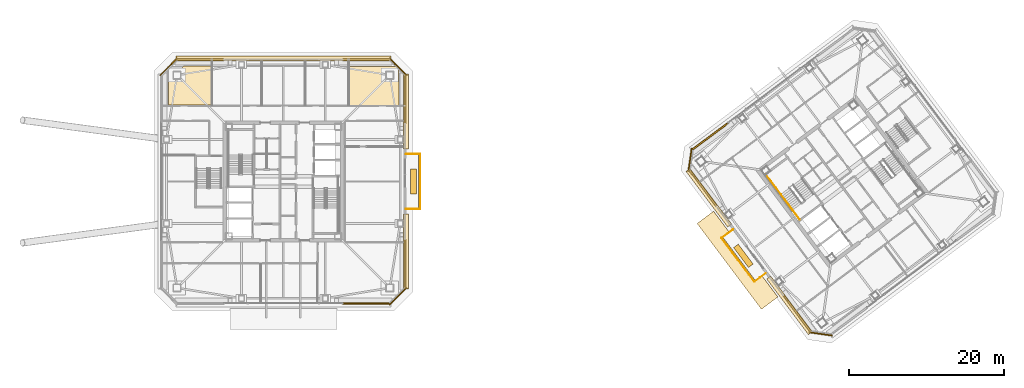
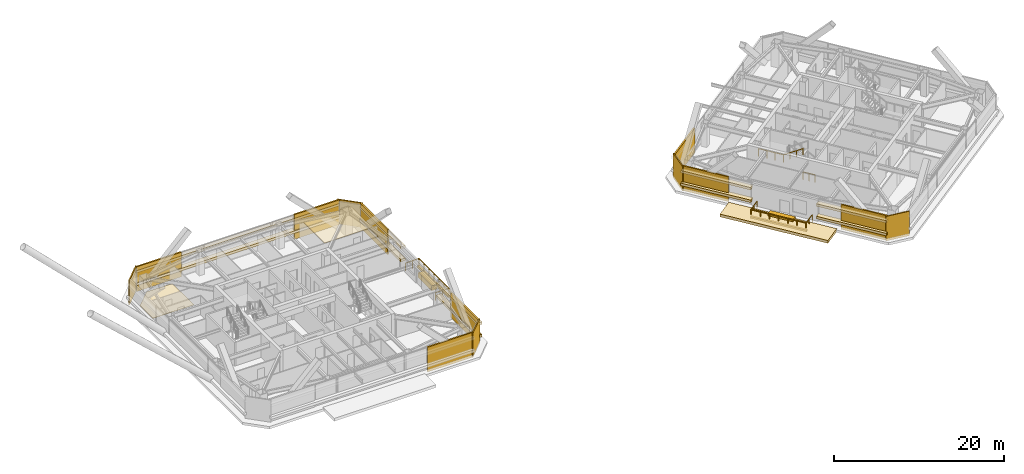
# One storey, part 37 of 39: 30 coverings, 9 railings.
"""IFC4 building model written with IfcOpenShell, lengths in metres."""

import ifcopenshell
import ifcopenshell.guid

model = None  # the IFC model being written
_history = None  # IfcOwnerHistory: only IFC2X3 demands one
_inside = {}  # id of a spatial element -> (the spatial element, [elements in it])
_under = {}  # id of a project, library or spatial element -> (it, [spatial elements below it])
_declared = {}  # id of a project -> (the project, [libraries it declares])
_typed = {}  # id of a type object -> (the type object, [elements of that type])
_made_of = {}  # id of a material, layer set ... -> (it, [elements and type objects made of it])


def new_model(schema):
    """Start an empty IFC model of exactly this schema.

    Asked for "IFC4X3", IfcOpenShell would pick the latest addendum, in which some entities
    have other attributes; the version numbers below select the first issue.
    IFC2X3 requires an IfcOwnerHistory on every rooted entity: one is made here for all.
    """
    global model, _history
    if schema == "IFC4X3":
        model = ifcopenshell.file(schema_version=(4, 3, 0, 0))
    else:
        model = ifcopenshell.file(schema=schema)
    _inside.clear()
    _under.clear()
    _declared.clear()
    _typed.clear()
    _made_of.clear()
    _history = None
    if model.schema == "IFC2X3":
        org = make("IfcOrganization", Name="unknown")
        user = make(
            "IfcPersonAndOrganization",
            ThePerson=make("IfcPerson", FamilyName="unknown"),
            TheOrganization=org,
        )
        app = make(
            "IfcApplication",
            ApplicationDeveloper=org,
            Version="unknown",
            ApplicationFullName="unknown",
            ApplicationIdentifier="unknown",
        )
        _history = make(
            "IfcOwnerHistory",
            OwningUser=user,
            OwningApplication=app,
            ChangeAction="ADDED",
            CreationDate=0,
        )
    return model


def make(cls, **values):
    """One entity of the class cls with the attributes given. An attribute that is None is left unset."""
    return model.create_entity(
        cls, **{name: value for name, value in values.items() if value is not None}
    )


def rooted(cls, **values):
    """An entity with a GlobalId (a new one), such as an element, a storey or a relation."""
    return make(cls, GlobalId=ifcopenshell.guid.new(), OwnerHistory=_history, **values)


def si_unit(unit_type, name, prefix=None):
    """IfcSIUnit, for example si_unit("LENGTHUNIT", "METRE", prefix="MILLI")."""
    return make("IfcSIUnit", UnitType=unit_type, Prefix=prefix, Name=name)


def assignment(units):
    """IfcUnitAssignment: the units of a project."""
    return None if units is None else make("IfcUnitAssignment", Units=units)


def point(xyz):
    """IfcCartesianPoint."""
    return None if xyz is None else make("IfcCartesianPoint", Coordinates=xyz)


def direction(xyz):
    """IfcDirection."""
    return None if xyz is None else make("IfcDirection", DirectionRatios=xyz)


def frame(location, z_axis=None, x_axis=None):
    """IfcAxis2Placement3D, a coordinate frame: its origin and axes. An axis left out is left unset."""
    return make(
        "IfcAxis2Placement3D",
        Location=point(location),
        Axis=direction(z_axis),
        RefDirection=direction(x_axis),
    )


def frame_2d(location, x_axis=None):
    """IfcAxis2Placement2D, a coordinate frame in the plane: its origin and x axis."""
    return make(
        "IfcAxis2Placement2D", Location=point(location), RefDirection=direction(x_axis)
    )


def origin():
    """The frame at (0, 0, 0) with its axes left unset."""
    return frame((0.0, 0.0, 0.0))


def origin_2d():
    """The frame at (0, 0) in the plane with its x axis left unset."""
    return frame_2d((0.0, 0.0))


def place(relative_to, where):
    """IfcLocalPlacement: puts the frame where relative to a parent placement (None: the world)."""
    return make(
        "IfcLocalPlacement", PlacementRelTo=relative_to, RelativePlacement=where
    )


def context(
    kind, dimensions, precision=None, world=None, true_north=None, identifier=None
):
    """IfcGeometricRepresentationContext, for example the 3D "Model" context."""
    return make(
        "IfcGeometricRepresentationContext",
        ContextIdentifier=identifier,
        ContextType=kind,
        CoordinateSpaceDimension=dimensions,
        Precision=precision,
        WorldCoordinateSystem=world,
        TrueNorth=true_north,
    )


def subcontext(parent, identifier, kind, view, scale=None):
    """IfcGeometricRepresentationSubContext, for example "Body" below "Model"."""
    return make(
        "IfcGeometricRepresentationSubContext",
        ContextIdentifier=identifier,
        ContextType=kind,
        ParentContext=parent,
        TargetScale=scale,
        TargetView=view,
    )


def project(units=None, contexts=None):
    """IfcProject with its units and contexts."""
    return rooted(
        "IfcProject",
        Name="project",
        RepresentationContexts=contexts,
        UnitsInContext=assignment(units),
    )


def spatial(cls, under=None, at=None, **own):
    """A site, building, storey or space (cls), placed at a placement, below another one or the project."""
    s = rooted(cls, ObjectPlacement=at, **own)
    if under is not None:
        _under.setdefault(under.id(), (under, []))[1].append(s)
    return s


def polyline(points):
    """IfcPolyline through the points."""
    return make("IfcPolyline", Points=[point(p) for p in points])


def profile(cls, at=None, kind="AREA", **sizes):
    """A parametric profile (cls). Its sizes go by their IFC names, for example OverallWidth=200.0."""
    return make(cls, ProfileType=kind, Position=at, **sizes)


def rectangle(**sizes):
    """IfcRectangleProfileDef."""
    return profile("IfcRectangleProfileDef", **sizes)


def outline(outer, holes=None, kind="AREA"):
    """IfcArbitraryClosedProfileDef: a profile drawn as a closed curve; with holes, ...WithVoids."""
    if holes is None:
        return make("IfcArbitraryClosedProfileDef", ProfileType=kind, OuterCurve=outer)
    return make(
        "IfcArbitraryProfileDefWithVoids",
        ProfileType=kind,
        OuterCurve=outer,
        InnerCurves=holes,
    )


def extrude(swept, where, along, depth):
    """IfcExtrudedAreaSolid: the profile swept, set in the frame where, extruded along a direction by depth."""
    return make(
        "IfcExtrudedAreaSolid",
        SweptArea=swept,
        Position=where,
        ExtrudedDirection=direction(along),
        Depth=depth,
    )


def shape(context_of_items, identifier, shape_type, items):
    """IfcShapeRepresentation: the items that make up one representation, for example the "Body"."""
    return make(
        "IfcShapeRepresentation",
        ContextOfItems=context_of_items,
        RepresentationIdentifier=identifier,
        RepresentationType=shape_type,
        Items=items,
    )


def material(Name=None, Category=None):
    """IfcMaterial."""
    return make("IfcMaterial", Name=Name, Category=Category)


def layer(
    of_material, thickness, ventilated=None, Name=None, Category=None, Priority=None
):
    """IfcMaterialLayer: one layer of a wall or slab, of a material (None: an air gap)."""
    return make(
        "IfcMaterialLayer",
        Material=of_material,
        LayerThickness=thickness,
        IsVentilated=ventilated,
        Name=Name,
        Category=Category,
        Priority=Priority,
    )


def layer_set(layers, Name=None):
    """IfcMaterialLayerSet."""
    return make("IfcMaterialLayerSet", MaterialLayers=layers, LayerSetName=Name)


def made_of(thing, what):
    """Note that an element or type object is made of a material, layer set ...; save() writes the relation."""
    if what is not None:
        _made_of.setdefault(what.id(), (what, []))[1].append(thing)
    return thing


def type_object(cls, material=None, **own):
    """A type object (cls), such as IfcWallType, which elements share."""
    return made_of(rooted(cls, **own), material)


def element(
    cls,
    number,
    at=None,
    inside=None,
    cuts=None,
    type_object=None,
    material=None,
    context=None,
    identifier="Body",
    shape_type=None,
    held_by="IfcProductDefinitionShape",
    body=None,
    shapes=None,
    **own,
):
    """One element of the class cls, such as IfcWall. Its Tag is "e" and its number.

    at: its placement. inside: the storey or other place that contains it. cuts: it is an
    opening in that element (IfcRelVoidsElement). A single representation is given by context,
    identifier, shape_type and body (its items); several are given by shapes. held_by: the class
    of the entity that holds the representations. save() writes the other relations.
    """
    e = rooted(cls, Tag="e%d" % number, ObjectPlacement=at, **own)
    if body is not None:
        shapes = [shape(context, identifier, shape_type, body)]
    if shapes is not None:
        e.Representation = make(held_by, Representations=shapes)
    if inside is not None:
        _inside.setdefault(inside.id(), (inside, []))[1].append(e)
    if cuts is not None:
        rooted(
            "IfcRelVoidsElement", RelatingBuildingElement=cuts, RelatedOpeningElement=e
        )
    if type_object is not None:
        _typed.setdefault(type_object.id(), (type_object, []))[1].append(e)
    return made_of(e, material)


def aggregate(whole, parts):
    """IfcRelAggregates: a whole, such as a stair, and the parts it consists of."""
    return rooted("IfcRelAggregates", RelatingObject=whole, RelatedObjects=parts)


def save(model, path):
    """Write the relations noted so far, then the file.

    IfcRelAggregates (storeys below a building ...), IfcRelContainedInSpatialStructure (elements
    in a storey), IfcRelDefinesByType, IfcRelAssociatesMaterial and IfcRelDeclares: one each for
    every whole, place, type object, material and project.
    """
    for whole, parts in _under.values():
        aggregate(whole, parts)
    for where, things in _inside.values():
        rooted(
            "IfcRelContainedInSpatialStructure",
            RelatedElements=things,
            RelatingStructure=where,
        )
    for kind, things in _typed.values():
        rooted("IfcRelDefinesByType", RelatedObjects=things, RelatingType=kind)
    for what, things in _made_of.values():
        rooted("IfcRelAssociatesMaterial", RelatedObjects=things, RelatingMaterial=what)
    for by, libraries in _declared.values():
        rooted("IfcRelDeclares", RelatingContext=by, RelatedDefinitions=libraries)
    model.write(path)


model = new_model("IFC4")

# Units and contexts
model_context = context("Model", 3, precision=1e-05, world=origin(), true_north=direction((0.0, 1.0)))
body_context = subcontext(model_context, "Body", "Model", "MODEL_VIEW")
ifc_project = project(units=[si_unit("LENGTHUNIT", "METRE"), si_unit("AREAUNIT", "SQUARE_METRE"), si_unit("VOLUMEUNIT", "CUBIC_METRE"), si_unit("PLANEANGLEUNIT", "RADIAN"), si_unit("MASSUNIT", "GRAM", prefix="KILO")], contexts=[model_context])

# Site, building, storey
site_placement = place(None, origin())
site = spatial("IfcSite", under=ifc_project, at=site_placement, CompositionType="ELEMENT")
building_placement = place(site_placement, origin())
building = spatial("IfcBuilding", under=site, at=building_placement, Name="Tashvorn Skyway Center", CompositionType="ELEMENT")
storey_placement = place(building_placement, frame((0.0, 0.0, 232.60009765625)))
storey = spatial("IfcBuildingStorey", under=building, at=storey_placement, Name="L63", CompositionType="ELEMENT", Elevation=232.60009765625)

# Coverings
ifc_material_1 = material(Name="Precast concrete C40/50", Category="concrete")
ifc_layer_1 = layer(ifc_material_1, 0.199951171875)
ifc_layer_set_1 = layer_set([ifc_layer_1], Name="Precast concrete C40/50")
covering_type_1 = type_object("IfcCoveringType", Name="COV-BRACE-CLAD", PredefinedType="CLADDING", material=ifc_layer_set_1)
for number, where, z_axis, x_axis, name in (
    (1, (52.7177734375, 16.320068359375, 0.0), (0.0, 0.0, 1.0), (-1.0, 0.0, 0.0), "Tower 1 L63 South Unitised Curtain Wall Mega-Brace Cladding Band 1"),
    (2, (31.2822265625, 47.679931640625, 0.0), (0.0, 0.0, 1.0), (1.0, 0.0, 0.0), "Tower 1 L63 North Unitised Curtain Wall Mega-Brace Cladding Band 1"),
    (3, (52.7177734375, 47.679931640625, 0.0), (0.0, 0.0, 1.0), (1.0, 0.0, 0.0), "Tower 1 L63 North Unitised Curtain Wall Mega-Brace Cladding Band 2"),
):
    element("IfcCovering", number, at=place(storey_placement, frame(where, z_axis=z_axis, x_axis=x_axis)), inside=storey, type_object=covering_type_1, Name=name, PredefinedType="CLADDING", context=body_context, shape_type="SweptSolid", body=[
        extrude(rectangle(XDim=6.12451171875, YDim=0.199951171875, at=origin_2d()), origin(), (0.0, 0.0, 1.0), 3.550048828125),
    ])
for number, where, z_axis, x_axis, name in (
    (4, (57.679931640625, 42.603271484375, 0.0), (0.0, 0.0, 1.0), (0.0, -1.0, 0.0), "Tower 1 L63 East Curtain Wall L Mega-Brace Cladding Band 1"),
    (5, (57.679931640625, 21.396728515625, 0.0), (0.0, 0.0, 1.0), (0.0, -1.0, 0.0), "Tower 1 L63 East Curtain Wall R Mega-Brace Cladding Band 1"),
):
    element("IfcCovering", number, at=place(storey_placement, frame(where, z_axis=z_axis, x_axis=x_axis)), inside=storey, type_object=covering_type_1, Name=name, PredefinedType="CLADDING", context=body_context, shape_type="SweptSolid", body=[
        extrude(rectangle(XDim=6.353271484375, YDim=0.199951171875, at=origin_2d()), origin(), (0.0, 0.0, 1.0), 3.550048828125),
    ])
for number, where, z_axis, x_axis, name in (
    (6, (108.177978515625, 14.962646484375, 0.0), (0.0, 0.0, 1.0), (-0.600000004945, 0.799999996291, 0.0), "Tower 2 L63 West Curtain Wall L Mega-Brace Cladding Band 1"),
    (7, (96.013916015625, 31.181396484375, 0.0), (0.0, 0.0, 1.0), (-0.600000004945, 0.799999996291, 0.0), "Tower 2 L63 West Curtain Wall R Mega-Brace Cladding Band 1"),
):
    element("IfcCovering", number, at=place(storey_placement, frame(where, z_axis=z_axis, x_axis=x_axis)), inside=storey, type_object=covering_type_1, Name=name, PredefinedType="CLADDING", context=body_context, shape_type="SweptSolid", body=[
        extrude(rectangle(XDim=5.88671875, YDim=0.199951171875, at=origin_2d()), origin(), (0.0, 0.0, 1.0), 3.550048828125),
    ])
covering_1_placement = place(storey_placement, frame((96.933349609375, 37.800048828125, 0.0), z_axis=(0.0, 0.0, 1.0), x_axis=(0.799999996291, 0.600000004945, 0.0)))
element("IfcCovering", 8, at=covering_1_placement, inside=storey, type_object=covering_type_1, Name="Tower 2 L63 North Unitised Curtain Wall Mega-Brace Cladding Band 1", PredefinedType="CLADDING", context=body_context, shape_type="SweptSolid", body=[
    extrude(rectangle(XDim=5.8134765625, YDim=0.199951171875, at=origin_2d()), origin(), (0.0, 0.0, 1.0), 3.550048828125),
])
ifc_material_2 = material(Name="Mineral-fibre acoustic ceiling tile on suspended grid")
ifc_layer_2 = layer(ifc_material_2, 0.02001953125)
ifc_layer_set_2 = layer_set([ifc_layer_2], Name="Mineral-fibre acoustic ceiling tile on suspended grid")
covering_type_2 = type_object("IfcCoveringType", Name="COV-CEIL-20", PredefinedType="CEILING", material=ifc_layer_set_2)
covering_2_placement = place(storey_placement, frame((0.0, 0.0, 2.702880859375)))
element("IfcCovering", 9, at=covering_2_placement, inside=storey, type_object=covering_type_2, Name="Tower 1 L63 Research Library Acoustic Ceiling", PredefinedType="CEILING", context=body_context, shape_type="SweptSolid", body=[
    extrude(outline(polyline([(50.39990234375, 41.77001953125), (56.89990234375, 41.77001953125), (56.89990234375, 46.800048828125), (50.39990234375, 46.800048828125), (50.39990234375, 41.77001953125)])), origin(), (0.0, 0.0, 1.0), 0.02001953125),
])
ifc_material_3 = material(Name="Polished Mojave desert-aggregate terrazzo and cover plate")
ifc_layer_3 = layer(ifc_material_3, 0.0400390625)
ifc_layer_set_3 = layer_set([ifc_layer_3], Name="Polished Mojave desert-aggregate terrazzo and cover plate")
covering_type_3 = type_object("IfcCoveringType", Name="COV-FLR-40", PredefinedType="FLOORING", material=ifc_layer_set_3)
covering_3_placement = place(storey_placement, origin())
element("IfcCovering", 10, at=covering_3_placement, inside=storey, type_object=covering_type_3, Name="Tower 1 L63 Research Library Finish Flooring", PredefinedType="FLOORING", context=body_context, shape_type="SweptSolid", body=[
    extrude(outline(polyline([(32.719970703125, 41.85009765625), (27.179931640625, 41.85009765625), (27.179931640625, 44.8798828125), (29.199951171875, 46.89990234375), (32.719970703125, 46.89990234375), (32.719970703125, 41.85009765625)])), origin(), (0.0, 0.0, 1.0), 0.039794921875),
])
ifc_material_4 = material(Name="Perforated ceramic-coated bronze aluminium solar screen", Category="aluminium")
ifc_layer_4 = layer(ifc_material_4, 0.85009765625)
ifc_layer_set_4 = layer_set([ifc_layer_4], Name="Perforated ceramic-coated bronze aluminium solar screen")
covering_type_4 = type_object("IfcCoveringType", Name="COV-SOLAR-BAND", PredefinedType="CLADDING", material=ifc_layer_set_4)
for number, where, z_axis, x_axis, name in (
    (11, (42.0, 47.820068359375, 0.919921875), (0.0, 0.0, 1.0), (1.0, 0.0, 0.0), "L63 Perforated Ceramic-Metal Solar Screen Louvre Band North 1"),
    (12, (42.0, 47.820068359375, 2.7197265625), (0.0, 0.0, 1.0), (1.0, 0.0, 0.0), "L63 Perforated Ceramic-Metal Solar Screen Louvre Band North 2"),
):
    element("IfcCovering", number, at=place(storey_placement, frame(where, z_axis=z_axis, x_axis=x_axis)), inside=storey, type_object=covering_type_4, Name=name, PredefinedType="CLADDING", context=body_context, shape_type="SweptSolid", body=[
        extrude(rectangle(XDim=27.679931640625, YDim=0.639892578125, at=origin_2d()), origin(), (0.0, 0.0, 1.0), 0.360107421875),
    ])
for number, where, z_axis, x_axis, name in (
    (13, (57.820068359375, 41.014892578125, 0.919921875), (0.0, 0.0, 1.0), (0.0, -1.0, 0.0), "L63 Perforated Ceramic-Metal Solar Screen Louvre Band East 1"),
    (14, (57.820068359375, 41.014892578125, 2.7197265625), (0.0, 0.0, 1.0), (0.0, -1.0, 0.0), "L63 Perforated Ceramic-Metal Solar Screen Louvre Band East 2"),
    (15, (57.820068359375, 22.985107421875, 0.919921875), (0.0, 0.0, 1.0), (0.0, -1.0, 0.0), "L63 Perforated Ceramic-Metal Solar Screen Louvre Band East 1"),
    (16, (57.820068359375, 22.985107421875, 2.7197265625), (0.0, 0.0, 1.0), (0.0, -1.0, 0.0), "L63 Perforated Ceramic-Metal Solar Screen Louvre Band East 2"),
):
    element("IfcCovering", number, at=place(storey_placement, frame(where, z_axis=z_axis, x_axis=x_axis)), inside=storey, type_object=covering_type_4, Name=name, PredefinedType="CLADDING", context=body_context, shape_type="SweptSolid", body=[
        extrude(rectangle(XDim=9.64990234375, YDim=0.639892578125, at=origin_2d()), origin(), (0.0, 0.0, 1.0), 0.360107421875),
    ])
for number, where, z_axis, x_axis, name in (
    (17, (107.18310546875, 16.055908203125, 0.919921875), (0.0, 0.0, 1.0), (-0.600000004945, 0.799999996291, 0.0), "L63 Perforated Ceramic-Metal Solar Screen Louvre Band West 1"),
    (18, (107.18310546875, 16.055908203125, 2.7197265625), (0.0, 0.0, 1.0), (-0.600000004945, 0.799999996291, 0.0), "L63 Perforated Ceramic-Metal Solar Screen Louvre Band West 2"),
    (19, (96.784912109375, 29.919921875, 0.919921875), (0.0, 0.0, 1.0), (-0.600000004945, 0.799999996291, 0.0), "L63 Perforated Ceramic-Metal Solar Screen Louvre Band West 1"),
    (20, (96.784912109375, 29.919921875, 2.7197265625), (0.0, 0.0, 1.0), (-0.600000004945, 0.799999996291, 0.0), "L63 Perforated Ceramic-Metal Solar Screen Louvre Band West 2"),
):
    element("IfcCovering", number, at=place(storey_placement, frame(where, z_axis=z_axis, x_axis=x_axis)), inside=storey, type_object=covering_type_4, Name=name, PredefinedType="CLADDING", context=body_context, shape_type="SweptSolid", body=[
        extrude(rectangle(XDim=8.949951171875, YDim=0.639892578125, at=origin_2d()), origin(), (0.0, 0.0, 1.0), 0.360107421875),
    ])
ifc_layer_5 = layer(ifc_material_1, 0.35009765625)
ifc_layer_set_5 = layer_set([ifc_layer_5], Name="Precast concrete C40/50")
covering_type_5 = type_object("IfcCoveringType", Name="COV-STONE-TRIM", PredefinedType="CLADDING", material=ifc_layer_set_5)
covering_4_placement = place(storey_placement, frame((100.47998046875, 21.860107421875, 0.0), z_axis=(0.0, 0.0, 1.0), x_axis=(-0.600000004945, 0.799999996291, 0.0)))
element("IfcCovering", 21, at=covering_4_placement, inside=storey, type_object=covering_type_5, Name="Tower 2 L62 Sky Garden Terracotta Canopy Hood", PredefinedType="CLADDING", context=body_context, shape_type="SweptSolid", body=[
    extrude(rectangle(XDim=13.800048828125, YDim=2.64990234375, at=origin_2d()), origin(), (0.0, 0.0, 1.0), 0.39990234375),
])
covering_5_placement = place(storey_placement, frame((59.56005859375, 32.0, -0.16015625), z_axis=(0.0, 0.0, 1.0), x_axis=(0.0, -1.0, 0.0)))
element("IfcCovering", 22, at=covering_5_placement, inside=storey, type_object=covering_type_5, Name="Tower 1 L63 Spiral Terrace Terracotta Fascia", PredefinedType="CLADDING", context=body_context, shape_type="SweptSolid", body=[
    extrude(rectangle(XDim=7.199951171875, YDim=0.280029296875, at=origin_2d()), origin(), (0.0, 0.0, 1.0), 0.280029296875),
])
covering_6_placement = place(storey_placement, frame((58.75, 32.0, 0.0), z_axis=(0.0, 0.0, 1.0), x_axis=(0.0, -1.0, 0.0)))
element("IfcCovering", 23, at=covering_6_placement, inside=storey, type_object=covering_type_5, Name="Tower 1 L63 Spiral Terrace Planter", PredefinedType="CLADDING", context=body_context, shape_type="SweptSolid", body=[
    extrude(rectangle(XDim=3.199951171875, YDim=0.75, at=origin_2d()), origin(), (0.0, 0.0, 1.0), 0.679931640625),
])
for number, where, z_axis, x_axis, name in (
    (24, (27.22998046875, 46.77001953125, 0.02001953125), (0.0, 0.0, 1.0), (-0.707106781187, -0.707106781187, 0.0), "Tower 1 L63 NW Mojave Limestone Corner Quoin"),
    (25, (56.77001953125, 46.77001953125, 0.02001953125), (0.0, 0.0, 1.0), (0.707106781187, -0.707106781187, 0.0), "Tower 1 L63 NE Mojave Limestone Corner Quoin"),
    (26, (56.77001953125, 17.22998046875, 0.02001953125), (0.0, 0.0, 1.0), (0.707106781187, 0.707106781187, 0.0), "Tower 1 L63 SE Mojave Limestone Corner Quoin"),
):
    element("IfcCovering", number, at=place(storey_placement, frame(where, z_axis=z_axis, x_axis=x_axis)), inside=storey, type_object=covering_type_5, Name=name, PredefinedType="CLADDING", context=body_context, shape_type="SweptSolid", body=[
        extrude(rectangle(XDim=3.1298828125, YDim=0.139892578125, at=origin_2d()), origin(), (0.0, 0.0, 1.0), 3.510009765625),
    ])
covering_7_placement = place(storey_placement, frame((100.592041015625, 21.944091796875, -0.16015625), z_axis=(0.0, 0.0, 1.0), x_axis=(-0.600000004945, 0.799999996291, 0.0)))
element("IfcCovering", 27, at=covering_7_placement, inside=storey, type_object=covering_type_5, Name="Tower 2 L63 Spiral Terrace Terracotta Fascia", PredefinedType="CLADDING", context=body_context, shape_type="SweptSolid", body=[
    extrude(rectangle(XDim=7.199951171875, YDim=0.280029296875, at=origin_2d()), origin(), (0.0, 0.0, 1.0), 0.280029296875),
])
covering_8_placement = place(storey_placement, frame((101.239990234375, 22.429931640625, 0.0), z_axis=(0.0, 0.0, 1.0), x_axis=(-0.600000004945, 0.799999996291, 0.0)))
element("IfcCovering", 28, at=covering_8_placement, inside=storey, type_object=covering_type_5, Name="Tower 2 L63 Spiral Terrace Planter", PredefinedType="CLADDING", context=body_context, shape_type="SweptSolid", body=[
    extrude(rectangle(XDim=3.199951171875, YDim=0.75, at=origin_2d()), origin(), (0.0, 0.0, 1.0), 0.679931640625),
])
for number, where, z_axis, x_axis, name in (
    (29, (111.196044921875, 12.3720703125, 0.02001953125), (0.0, 0.0, 1.0), (-0.989949494535, 0.141421350118, 0.0), "Tower 2 L63 SW Mojave Limestone Corner Quoin"),
    (30, (94.3720703125, 34.803955078125, 0.02001953125), (0.0, 0.0, 1.0), (-0.141421350118, -0.989949494535, 0.0), "Tower 2 L63 NW Mojave Limestone Corner Quoin"),
):
    element("IfcCovering", number, at=place(storey_placement, frame(where, z_axis=z_axis, x_axis=x_axis)), inside=storey, type_object=covering_type_5, Name=name, PredefinedType="CLADDING", context=body_context, shape_type="SweptSolid", body=[
        extrude(rectangle(XDim=2.98828125, YDim=0.139892578125, at=origin_2d()), origin(), (0.0, 0.0, 1.0), 3.510009765625),
    ])

# Railings
ifc_material_5 = material(Name="Galvanized steel S355", Category="steel")
railing_type_1 = type_object("IfcRailingType", Name="RAIL-GUARD-1120", PredefinedType="GUARDRAIL", material=ifc_material_5)
railing_1_placement = place(storey_placement, frame((57.800048828125, 28.47998046875, 0.0)))
element("IfcRailing", 31, at=railing_1_placement, inside=storey, type_object=railing_type_1, Name="L63 Tower 1 Terrace Guardrail 01", PredefinedType="GUARDRAIL", context=body_context, shape_type="SweptSolid", body=[
    extrude(rectangle(XDim=0.048095703125, YDim=0.048095703125, at=origin_2d()), frame((0.0, 0.0, 1.09619140625), z_axis=(1.0, 0.0, 0.0), x_axis=(0.0, 1.0, 0.0)), (0.0, 0.0, 1.0), 1.820068359375),
    extrude(rectangle(XDim=0.0419921875, YDim=0.0419921875, at=origin_2d()), origin(), (0.0, 0.0, 1.0), 1.072021484375),
    extrude(rectangle(XDim=0.0419921875, YDim=0.0419921875, at=origin_2d()), frame((0.91015625, 0.0, 0.0)), (0.0, 0.0, 1.0), 1.072021484375),
    extrude(rectangle(XDim=0.0419921875, YDim=0.0419921875, at=origin_2d()), frame((1.820068359375, 0.0, 0.0)), (0.0, 0.0, 1.0), 1.072021484375),
])
railing_2_placement = place(storey_placement, frame((59.6201171875, 28.47998046875, 0.0)))
element("IfcRailing", 32, at=railing_2_placement, inside=storey, type_object=railing_type_1, Name="L63 Tower 1 Terrace Guardrail 02", PredefinedType="GUARDRAIL", context=body_context, shape_type="SweptSolid", body=[
    extrude(rectangle(XDim=0.048095703125, YDim=0.048095703125, at=origin_2d()), frame((0.0, 0.0, 1.09619140625), z_axis=(0.0, 1.0, 0.0), x_axis=(-1.0, 0.0, 0.0)), (0.0, 0.0, 1.0), 7.0400390625),
    extrude(rectangle(XDim=0.0419921875, YDim=0.0419921875, at=origin_2d()), origin(), (0.0, 0.0, 1.0), 1.072021484375),
    extrude(rectangle(XDim=0.0419921875, YDim=0.0419921875, at=origin_2d()), frame((0.0, 1.17333984375, 0.0)), (0.0, 0.0, 1.0), 1.072021484375),
    extrude(rectangle(XDim=0.0419921875, YDim=0.0419921875, at=origin_2d()), frame((0.0, 2.3466796875, 0.0)), (0.0, 0.0, 1.0), 1.072021484375),
    extrude(rectangle(XDim=0.0419921875, YDim=0.0419921875, at=origin_2d()), frame((0.0, 3.52001953125, 0.0)), (0.0, 0.0, 1.0), 1.072021484375),
    extrude(rectangle(XDim=0.0419921875, YDim=0.0419921875, at=origin_2d()), frame((0.0, 4.693359375, 0.0)), (0.0, 0.0, 1.0), 1.072021484375),
    extrude(rectangle(XDim=0.0419921875, YDim=0.0419921875, at=origin_2d()), frame((0.0, 5.86669921875, 0.0)), (0.0, 0.0, 1.0), 1.072021484375),
    extrude(rectangle(XDim=0.0419921875, YDim=0.0419921875, at=origin_2d()), frame((0.0, 7.0400390625, 0.0)), (0.0, 0.0, 1.0), 1.072021484375),
])
railing_3_placement = place(storey_placement, frame((59.6201171875, 35.52001953125, 0.0)))
element("IfcRailing", 33, at=railing_3_placement, inside=storey, type_object=railing_type_1, Name="L63 Tower 1 Terrace Guardrail 03", PredefinedType="GUARDRAIL", context=body_context, shape_type="SweptSolid", body=[
    extrude(rectangle(XDim=0.048095703125, YDim=0.048095703125, at=origin_2d()), frame((0.0, 0.0, 1.09619140625), z_axis=(-1.0, 0.0, 0.0), x_axis=(0.0, -1.0, 0.0)), (0.0, 0.0, 1.0), 1.820068359375),
    extrude(rectangle(XDim=0.0419921875, YDim=0.0419921875, at=origin_2d()), origin(), (0.0, 0.0, 1.0), 1.072021484375),
    extrude(rectangle(XDim=0.0419921875, YDim=0.0419921875, at=origin_2d()), frame((-0.91015625, 0.0, 0.0)), (0.0, 0.0, 1.0), 1.072021484375),
    extrude(rectangle(XDim=0.0419921875, YDim=0.0419921875, at=origin_2d()), frame((-1.820068359375, 0.0, 0.0)), (0.0, 0.0, 1.0), 1.072021484375),
])
railing_4_placement = place(storey_placement, frame((104.112060546875, 20.18408203125, 0.0)))
element("IfcRailing", 34, at=railing_4_placement, inside=storey, type_object=railing_type_1, Name="L63 Tower 2 Terrace Guardrail 01", PredefinedType="GUARDRAIL", context=body_context, shape_type="SweptSolid", body=[
    extrude(rectangle(XDim=0.048095703125, YDim=0.048095703125, at=origin_2d()), frame((0.0, 0.0, 1.09619140625), z_axis=(-0.8, -0.6, 0.0), x_axis=(0.6, -0.8, 0.0)), (0.0, 0.0, 1.0), 1.820068359375),
    extrude(rectangle(XDim=0.0419921875, YDim=0.0419921875, at=origin_2d()), origin(), (0.0, 0.0, 1.0), 1.072021484375),
    extrude(rectangle(XDim=0.0419921875, YDim=0.0419921875, at=origin_2d()), frame((-0.72802734375, -0.5458984375, 0.0)), (0.0, 0.0, 1.0), 1.072021484375),
    extrude(rectangle(XDim=0.0419921875, YDim=0.0419921875, at=origin_2d()), frame((-1.4560546875, -1.092041015625, 0.0)), (0.0, 0.0, 1.0), 1.072021484375),
])
railing_5_placement = place(storey_placement, frame((102.656005859375, 19.092041015625, 0.0)))
element("IfcRailing", 35, at=railing_5_placement, inside=storey, type_object=railing_type_1, Name="L63 Tower 2 Terrace Guardrail 02", PredefinedType="GUARDRAIL", context=body_context, shape_type="SweptSolid", body=[
    extrude(rectangle(XDim=0.048095703125, YDim=0.048095703125, at=origin_2d()), frame((0.0, 0.0, 1.09619140625), z_axis=(-0.600005548528, 0.799995838574, 0.0), x_axis=(-0.799995838574, -0.600005548528, 0.0)), (0.0, 0.0, 1.0), 7.0400390625),
    extrude(rectangle(XDim=0.0419921875, YDim=0.0419921875, at=origin_2d()), origin(), (0.0, 0.0, 1.0), 1.072021484375),
    extrude(rectangle(XDim=0.0419921875, YDim=0.0419921875, at=origin_2d()), frame((-0.7041015625, 0.938720703125, 0.0)), (0.0, 0.0, 1.0), 1.072021484375),
    extrude(rectangle(XDim=0.0419921875, YDim=0.0419921875, at=origin_2d()), frame((-1.407958984375, 1.87744140625, 0.0)), (0.0, 0.0, 1.0), 1.072021484375),
    extrude(rectangle(XDim=0.0419921875, YDim=0.0419921875, at=origin_2d()), frame((-2.112060546875, 2.81591796875, 0.0)), (0.0, 0.0, 1.0), 1.072021484375),
    extrude(rectangle(XDim=0.0419921875, YDim=0.0419921875, at=origin_2d()), frame((-2.816162109375, 3.754638671875, 0.0)), (0.0, 0.0, 1.0), 1.072021484375),
    extrude(rectangle(XDim=0.0419921875, YDim=0.0419921875, at=origin_2d()), frame((-3.52001953125, 4.693359375, 0.0)), (0.0, 0.0, 1.0), 1.072021484375),
    extrude(rectangle(XDim=0.0419921875, YDim=0.0419921875, at=origin_2d()), frame((-4.22412109375, 5.632080078125, 0.0)), (0.0, 0.0, 1.0), 1.072021484375),
])
railing_6_placement = place(storey_placement, frame((98.431884765625, 24.72412109375, 0.0)))
element("IfcRailing", 36, at=railing_6_placement, inside=storey, type_object=railing_type_1, Name="L63 Tower 2 Terrace Guardrail 03", PredefinedType="GUARDRAIL", context=body_context, shape_type="SweptSolid", body=[
    extrude(rectangle(XDim=0.048095703125, YDim=0.048095703125, at=origin_2d()), frame((0.0, 0.0, 1.09619140625), z_axis=(0.800064386893, 0.599914141212, 0.0), x_axis=(-0.599914141212, 0.800064386893, 0.0)), (0.0, 0.0, 1.0), 1.81982421875),
    extrude(rectangle(XDim=0.0419921875, YDim=0.0419921875, at=origin_2d()), origin(), (0.0, 0.0, 1.0), 1.072021484375),
    extrude(rectangle(XDim=0.0419921875, YDim=0.0419921875, at=origin_2d()), frame((0.72802734375, 0.5458984375, 0.0)), (0.0, 0.0, 1.0), 1.072021484375),
    extrude(rectangle(XDim=0.0419921875, YDim=0.0419921875, at=origin_2d()), frame((1.4560546875, 1.091796875, 0.0)), (0.0, 0.0, 1.0), 1.072021484375),
])
ifc_material_6 = material(Name="Brushed stainless steel 316", Category="steel")
railing_type_2 = type_object("IfcRailingType", Name="RAIL-HAND-920", PredefinedType="HANDRAIL", material=ifc_material_6)
railing_7_placement = place(storey_placement, frame((106.072021484375, 30.35400390625, 1.952392578125)))
element("IfcRailing", 37, at=railing_7_placement, inside=storey, type_object=railing_type_2, Name="L63 ST-T2-1 stair handrail 2", PredefinedType="HANDRAIL", context=body_context, shape_type="SweptSolid", body=[
    extrude(rectangle(XDim=0.048095703125, YDim=0.048095703125, at=origin_2d()), frame((0.0, 0.0, 0.8759765625), z_axis=(0.506740800098, -0.675708949977, 0.535379469569), x_axis=(0.800023250257, 0.599968998406, 0.0)), (0.0, 0.0, 1.0), 2.983642578125),
    extrude(rectangle(XDim=0.0419921875, YDim=0.0419921875, at=origin_2d()), origin(), (0.0, 0.0, 1.0), 0.851806640625),
    extrude(rectangle(XDim=0.0419921875, YDim=0.0419921875, at=origin_2d()), frame((0.50390625, -0.672119140625, 0.532470703125)), (0.0, 0.0, 1.0), 0.851806640625),
    extrude(rectangle(XDim=0.0419921875, YDim=0.0419921875, at=origin_2d()), frame((1.008056640625, -1.343994140625, 1.06494140625)), (0.0, 0.0, 1.0), 0.851806640625),
    extrude(rectangle(XDim=0.0419921875, YDim=0.0419921875, at=origin_2d()), frame((1.511962890625, -2.01611328125, 1.597412109375)), (0.0, 0.0, 1.0), 0.851806640625),
])
ifc_material_7 = material(Name="Painted galvanized steel S355", Category="steel")
railing_type_3 = type_object("IfcRailingType", Name="RAIL-STGUARD-1100", PredefinedType="GUARDRAIL", material=ifc_material_7)
railing_8_placement = place(storey_placement, frame((106.072021484375, 30.35400390625, 1.77490234375)))
element("IfcRailing", 38, at=railing_8_placement, inside=storey, type_object=railing_type_3, Name="L63 ST-T2-1 stair guard 3", PredefinedType="GUARDRAIL", context=body_context, shape_type="SweptSolid", body=[
    extrude(rectangle(XDim=0.048095703125, YDim=0.048095703125, at=origin_2d()), frame((0.0, 0.0, 1.076171875), z_axis=(-0.599987638607, 0.800009270896, 0.0), x_axis=(-0.800009270896, -0.599987638607, 0.0)), (0.0, 0.0, 1.0), 3.16015625),
    extrude(rectangle(XDim=0.0419921875, YDim=0.0419921875, at=origin_2d()), origin(), (0.0, 0.0, 1.0), 1.052001953125),
    extrude(rectangle(XDim=0.0419921875, YDim=0.0419921875, at=origin_2d()), frame((-0.632080078125, 0.8427734375, 0.0)), (0.0, 0.0, 1.0), 1.052001953125),
    extrude(rectangle(XDim=0.0419921875, YDim=0.0419921875, at=origin_2d()), frame((-1.263916015625, 1.685302734375, 0.0)), (0.0, 0.0, 1.0), 1.052001953125),
    extrude(rectangle(XDim=0.0419921875, YDim=0.0419921875, at=origin_2d()), frame((-1.89599609375, 2.528076171875, 0.0)), (0.0, 0.0, 1.0), 1.052001953125),
])
railing_9_placement = place(storey_placement, frame((108.49609375, 27.1220703125, 0.0)))
element("IfcRailing", 39, at=railing_9_placement, inside=storey, type_object=railing_type_3, Name="L63 ST-T2-1 stair guard 6", PredefinedType="GUARDRAIL", context=body_context, shape_type="SweptSolid", body=[
    extrude(rectangle(XDim=0.048095703125, YDim=0.048095703125, at=origin_2d()), frame((0.0, 0.0, 1.076171875), z_axis=(-0.600102796382, 0.799922892393, 0.0), x_axis=(-0.799922892393, -0.600102796382, 0.0)), (0.0, 0.0, 1.0), 1.52001953125),
    extrude(rectangle(XDim=0.0419921875, YDim=0.0419921875, at=origin_2d()), origin(), (0.0, 0.0, 1.0), 1.052001953125),
    extrude(rectangle(XDim=0.0419921875, YDim=0.0419921875, at=origin_2d()), frame((-0.4560546875, 0.60791015625, 0.0)), (0.0, 0.0, 1.0), 1.052001953125),
    extrude(rectangle(XDim=0.0419921875, YDim=0.0419921875, at=origin_2d()), frame((-0.912109375, 1.2158203125, 0.0)), (0.0, 0.0, 1.0), 1.052001953125),
])

save(model, "model.ifc")
